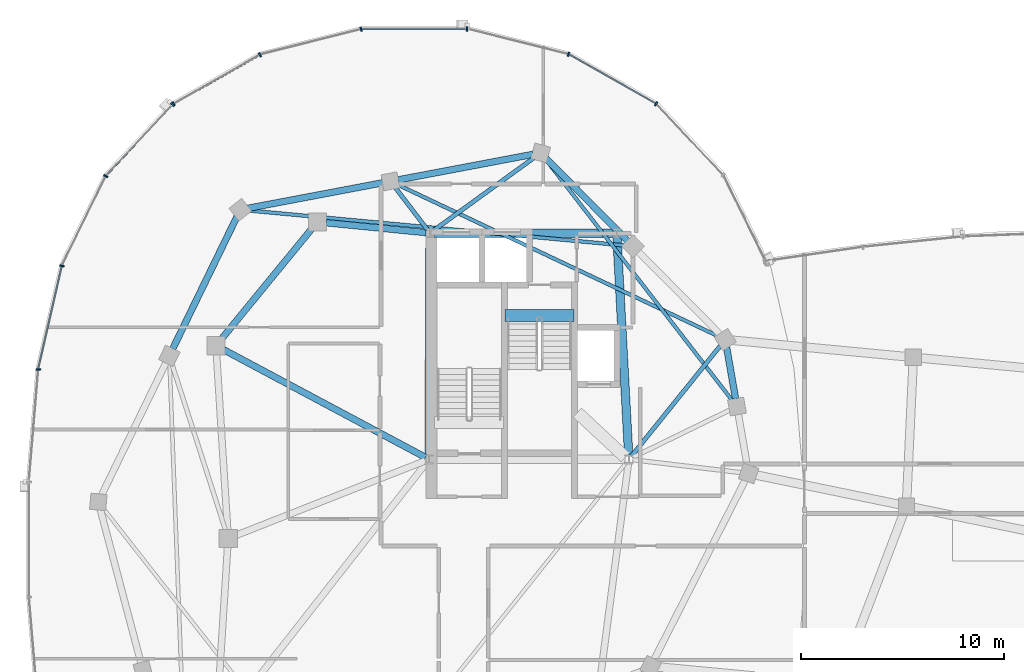
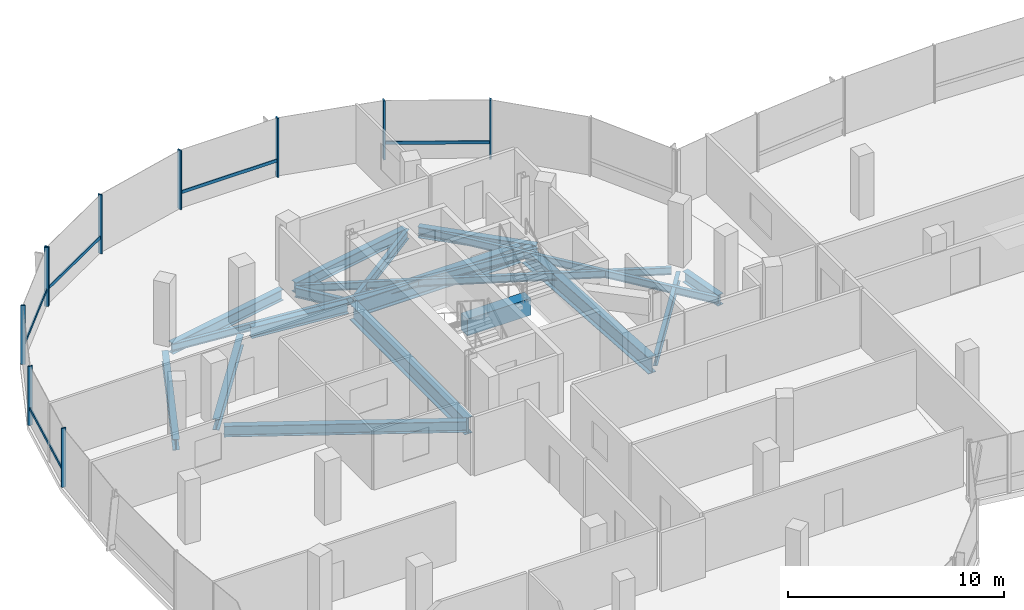
# One storey, part 6 of 26: 18 beams, 15 members, 2 elements without a shape of their own.
"""IFC4 building model written with IfcOpenShell, lengths in metres."""

from ifc_helpers import new_model, si_unit, direction, frame, origin, origin_2d, place, context, subcontext, project, spatial, rectangle, i_section, extrude, material, material_profile, profile_set, type_object, element, aggregate, save


model = new_model("IFC4")

# Units and contexts
model_context = context("Model", 3, precision=1e-05, world=origin(), true_north=direction((0.0, 1.0)))
body_context = subcontext(model_context, "Body", "Model", "MODEL_VIEW")
ifc_project = project(units=[si_unit("LENGTHUNIT", "METRE"), si_unit("AREAUNIT", "SQUARE_METRE"), si_unit("VOLUMEUNIT", "CUBIC_METRE"), si_unit("PLANEANGLEUNIT", "RADIAN"), si_unit("MASSUNIT", "GRAM", prefix="KILO"), si_unit("THERMODYNAMICTEMPERATUREUNIT", "KELVIN"), si_unit("POWERUNIT", "WATT")], contexts=[model_context])

# Site, building, storey
site_placement = place(None, origin())
site = spatial("IfcSite", under=ifc_project, at=site_placement, CompositionType="ELEMENT")
building_placement = place(site_placement, origin())
building = spatial("IfcBuilding", under=site, at=building_placement, Name="Cundina Bronze Exchange", CompositionType="ELEMENT")
storey_placement = place(building_placement, frame((0.0, 0.0, 243.199951171875)))
storey = spatial("IfcBuildingStorey", under=building, at=storey_placement, Name="L64", CompositionType="ELEMENT", Elevation=243.199951171875)

# Beams
ifc_material_1 = material(Name="Concrete C60/75", Category="concrete")
ifc_material_profile_1 = material_profile(ifc_material_1, rectangle(XDim=0.60009765625, YDim=0.949951171875, at=origin_2d()), Name="RC600X950", Category="concrete")
ifc_profile_set_1 = profile_set([ifc_material_profile_1], Name="Concrete C60/75")
beam_type_1 = type_object("IfcBeamType", Name="BM-COUP-RC950", PredefinedType="LINTEL", material=ifc_profile_set_1)
beam_1_placement = place(storey_placement, frame((-27.56005859375, 10.97998046875, -0.474853515625), z_axis=(1.0, 0.0, 0.0), x_axis=(0.0, 1.0, 0.0)))
element("IfcBeam", 1, at=beam_1_placement, inside=storey, type_object=beam_type_1, Name="L64 Stair W2 Landing Header Beam", PredefinedType="LINTEL", context=body_context, shape_type="SweptSolid", body=[
    extrude(rectangle(XDim=0.60009765625, YDim=0.949951171875, at=origin_2d()), origin(), (0.0, 0.0, 1.0), 3.400146484375),
])
ifc_material_2 = material(Name="Steel ASTM A992 Grade 50", Category="steel")
ifc_material_profile_2 = material_profile(ifc_material_2, i_section(OverallWidth=0.2119140625, OverallDepth=0.5439453125, WebThickness=0.01318359375, FlangeThickness=0.021240234375, FilletRadius=0.013916015625, at=origin_2d()), Name="W21X83", Category="steel")
ifc_profile_set_2 = profile_set([ifc_material_profile_2], Name="Steel ASTM A992 Grade 50")
beam_type_2 = type_object("IfcBeamType", Name="BM-FLR-W21A", PredefinedType="BEAM", material=ifc_profile_set_2)
beam_2_placement = place(storey_placement, frame((-21.3271484375, 4.052734375, -0.531982421875), z_axis=(0.627111236784, 0.778929712297, 0.0), x_axis=(-0.778929712297, 0.627111236784, 0.0)))
element("IfcBeam", 2, at=beam_2_placement, inside=storey, type_object=beam_type_2, Name="L64 Leg W Radial Floor Beam 02", PredefinedType="BEAM", context=body_context, shape_type="SweptSolid", body=[
    extrude(i_section(OverallWidth=0.2119140625, OverallDepth=0.5439453125, WebThickness=0.01318359375, FlangeThickness=0.021240234375, FilletRadius=0.013916015625, at=origin_2d()), origin(), (0.0, 0.0, 1.0), 6.990478515625),
])
beam_3_placement = place(storey_placement, frame((-31.09130859375, 15.1650390625, -0.531982421875), z_axis=(0.809701976545, 0.586841298119, 0.0), x_axis=(-0.586841298119, 0.809701976545, 0.0)))
element("IfcBeam", 3, at=beam_3_placement, inside=storey, type_object=beam_type_2, Name="L64 Leg W Radial Floor Beam 04", PredefinedType="BEAM", context=body_context, shape_type="SweptSolid", body=[
    extrude(i_section(OverallWidth=0.2119140625, OverallDepth=0.5439453125, WebThickness=0.01318359375, FlangeThickness=0.021240234375, FilletRadius=0.013916015625, at=origin_2d()), origin(), (0.0, 0.0, 1.0), 6.146728515625),
])
beam_4_placement = place(storey_placement, frame((-31.369140625, 15.205810546875, -0.531982421875), z_axis=(-0.607470812638, 0.794341999263, 0.0), x_axis=(-0.794341999263, -0.607470812638, 0.0)))
element("IfcBeam", 4, at=beam_4_placement, inside=storey, type_object=beam_type_2, Name="L64 Leg W Radial Floor Beam 05", PredefinedType="BEAM", context=body_context, shape_type="SweptSolid", body=[
    extrude(i_section(OverallWidth=0.2119140625, OverallDepth=0.5439453125, WebThickness=0.01318359375, FlangeThickness=0.021240234375, FilletRadius=0.013916015625, at=origin_2d()), origin(), (0.0, 0.0, 1.0), 2.6259765625),
])
ifc_material_profile_3 = material_profile(ifc_material_2, i_section(OverallWidth=0.178955078125, OverallDepth=0.409912109375, WebThickness=0.0087890625, FlangeThickness=0.014404296875, FilletRadius=0.010986328125, at=origin_2d()), Name="W16X45", Category="steel")
ifc_profile_set_3 = profile_set([ifc_material_profile_3], Name="Steel ASTM A992 Grade 50")
beam_type_3 = type_object("IfcBeamType", Name="BM-JST-W16", PredefinedType="JOIST", material=ifc_profile_set_3)
beam_5_placement = place(storey_placement, frame((-16.362548828125, 6.806884765625, -0.46484375), z_axis=(-0.612077855816, 0.790797507849, 0.0), x_axis=(-0.790797507849, -0.612077855816, 0.0)))
element("IfcBeam", 5, at=beam_5_placement, inside=storey, type_object=beam_type_3, Name="L64 Leg W Lobe Floor Joist 01-04", PredefinedType="JOIST", context=body_context, shape_type="SweptSolid", body=[
    extrude(i_section(OverallWidth=0.178955078125, OverallDepth=0.409912109375, WebThickness=0.0087890625, FlangeThickness=0.014404296875, FilletRadius=0.010986328125, at=origin_2d()), origin(), (0.0, 0.0, 1.0), 15.03076171875),
])
beam_6_placement = place(storey_placement, frame((-17.05078125, 9.9658203125, -0.46484375), z_axis=(-0.904073247994, 0.427377540661, 0.0), x_axis=(-0.427377540661, -0.904073247994, 0.0)))
element("IfcBeam", 6, at=beam_6_placement, inside=storey, type_object=beam_type_3, Name="L64 Leg W Lobe Floor Joist 02-05", PredefinedType="JOIST", context=body_context, shape_type="SweptSolid", body=[
    extrude(i_section(OverallWidth=0.178955078125, OverallDepth=0.409912109375, WebThickness=0.0087890625, FlangeThickness=0.014404296875, FilletRadius=0.010986328125, at=origin_2d()), origin(), (0.0, 0.0, 1.0), 17.474609375),
])
beam_7_placement = place(storey_placement, frame((-21.63623046875, 14.435791015625, -0.46484375), z_axis=(-0.995700514338, 0.092630911398, 0.0), x_axis=(-0.092630911398, -0.995700514338, 0.0)))
element("IfcBeam", 7, at=beam_7_placement, inside=storey, type_object=beam_type_3, Name="L64 Leg W Lobe Floor Joist 03-06", PredefinedType="JOIST", context=body_context, shape_type="SweptSolid", body=[
    extrude(i_section(OverallWidth=0.178955078125, OverallDepth=0.409912109375, WebThickness=0.0087890625, FlangeThickness=0.014404296875, FilletRadius=0.010986328125, at=origin_2d()), origin(), (0.0, 0.0, 1.0), 18.65771484375),
])
ifc_material_profile_4 = material_profile(ifc_material_2, i_section(OverallWidth=0.324951171875, OverallDepth=0.615966796875, WebThickness=0.013916015625, FlangeThickness=0.021484375, FilletRadius=0.01611328125, at=origin_2d()), Name="W24X117", Category="steel")
ifc_profile_set_4 = profile_set([ifc_material_profile_4], Name="Steel ASTM A992 Grade 50")
beam_type_4 = type_object("IfcBeamType", Name="BM-RING-W24", PredefinedType="USERDEFINED", material=ifc_profile_set_4)
beam_8_placement = place(storey_placement, frame((-31.445068359375, 15.0693359375, -0.56787109375), z_axis=(-0.995123854478, 0.09863323096, 0.0), x_axis=(-0.09863323096, -0.995123854478, 0.0)))
element("IfcBeam", 8, at=beam_8_placement, inside=storey, type_object=beam_type_4, Name="L64 W Inner Structural Ring Girder 01", ObjectType="GIRDER", PredefinedType="USERDEFINED", context=body_context, shape_type="SweptSolid", body=[
    extrude(i_section(OverallWidth=0.324951171875, OverallDepth=0.615966796875, WebThickness=0.013916015625, FlangeThickness=0.021484375, FilletRadius=0.01611328125, at=origin_2d()), origin(), (0.0, 0.0, 1.0), 4.943115234375),
])
beam_9_placement = place(storey_placement, frame((-37.07763671875, 15.26123046875, -0.56787109375), z_axis=(-0.633912590175, -0.77340469873, 0.0), x_axis=(0.77340469873, -0.633912590175, 0.0)))
element("IfcBeam", 9, at=beam_9_placement, inside=storey, type_object=beam_type_4, Name="L64 W Inner Structural Ring Girder 02", ObjectType="GIRDER", PredefinedType="USERDEFINED", context=body_context, shape_type="SweptSolid", body=[
    extrude(i_section(OverallWidth=0.324951171875, OverallDepth=0.615966796875, WebThickness=0.013916015625, FlangeThickness=0.021484375, FilletRadius=0.01611328125, at=origin_2d()), origin(), (0.0, 0.0, 1.0), 7.01123046875),
])
beam_10_placement = place(storey_placement, frame((-31.472900390625, 3.9921875, -0.56787109375), z_axis=(-0.882350541683, 0.470592734317, 0.0), x_axis=(-0.470592734317, -0.882350541683, 0.0)))
element("IfcBeam", 10, at=beam_10_placement, inside=storey, type_object=beam_type_4, Name="L64 W Core-to-Waist Tie Beam 2", ObjectType="GIRDER", PredefinedType="USERDEFINED", context=body_context, shape_type="SweptSolid", body=[
    extrude(i_section(OverallWidth=0.324951171875, OverallDepth=0.615966796875, WebThickness=0.013916015625, FlangeThickness=0.021484375, FilletRadius=0.01611328125, at=origin_2d()), origin(), (0.0, 0.0, 1.0), 11.26611328125),
])
beam_11_placement = place(storey_placement, frame((-16.191650390625, 6.882080078125, -0.56787109375), z_axis=(-0.171593362587, 0.985167862811, 0.0), x_axis=(-0.985167862811, -0.171593362587, 0.0)))
element("IfcBeam", 11, at=beam_11_placement, inside=storey, type_object=beam_type_4, Name="L64 W Perimeter Ring Girder 01", ObjectType="GIRDER", PredefinedType="USERDEFINED", context=body_context, shape_type="SweptSolid", body=[
    extrude(i_section(OverallWidth=0.324951171875, OverallDepth=0.615966796875, WebThickness=0.013916015625, FlangeThickness=0.021484375, FilletRadius=0.01611328125, at=origin_2d()), origin(), (0.0, 0.0, 1.0), 2.57373046875),
])
beam_12_placement = place(storey_placement, frame((-21.52294921875, 14.67578125, -0.56787109375), z_axis=(-0.703215820204, 0.710976448425, 0.0), x_axis=(-0.710976448425, -0.703215820204, 0.0)))
element("IfcBeam", 12, at=beam_12_placement, inside=storey, type_object=beam_type_4, Name="L64 W Perimeter Ring Girder 03", ObjectType="GIRDER", PredefinedType="USERDEFINED", context=body_context, shape_type="SweptSolid", body=[
    extrude(i_section(OverallWidth=0.324951171875, OverallDepth=0.615966796875, WebThickness=0.013916015625, FlangeThickness=0.021484375, FilletRadius=0.01611328125, at=origin_2d()), origin(), (0.0, 0.0, 1.0), 5.694091796875),
])
beam_13_placement = place(storey_placement, frame((-26.18115234375, 18.927978515625, -0.56787109375), z_axis=(-0.982568104771, -0.185902984072, 0.0), x_axis=(0.185902984072, -0.982568104771, 0.0)))
element("IfcBeam", 13, at=beam_13_placement, inside=storey, type_object=beam_type_4, Name="L64 W Perimeter Ring Girder 04", ObjectType="GIRDER", PredefinedType="USERDEFINED", context=body_context, shape_type="SweptSolid", body=[
    extrude(i_section(OverallWidth=0.324951171875, OverallDepth=0.615966796875, WebThickness=0.013916015625, FlangeThickness=0.021484375, FilletRadius=0.01611328125, at=origin_2d()), origin(), (0.0, 0.0, 1.0), 6.75537109375),
])
beam_14_placement = place(storey_placement, frame((-33.581298828125, 17.52783203125, -0.56787109375), z_axis=(-0.982573456977, -0.185874693392, 0.0), x_axis=(0.185874693392, -0.982573456977, 0.0)))
element("IfcBeam", 14, at=beam_14_placement, inside=storey, type_object=beam_type_4, Name="L64 W Perimeter Ring Girder 05", ObjectType="GIRDER", PredefinedType="USERDEFINED", context=body_context, shape_type="SweptSolid", body=[
    extrude(i_section(OverallWidth=0.324951171875, OverallDepth=0.615966796875, WebThickness=0.013916015625, FlangeThickness=0.021484375, FilletRadius=0.01611328125, at=origin_2d()), origin(), (0.0, 0.0, 1.0), 6.755126953125),
])
beam_15_placement = place(storey_placement, frame((-40.76953125, 15.85107421875, -0.56787109375), z_axis=(-0.437216986791, -0.899356050995, 0.0), x_axis=(0.899356050995, -0.437216986791, 0.0)))
element("IfcBeam", 15, at=beam_15_placement, inside=storey, type_object=beam_type_4, Name="L64 W Perimeter Ring Girder 06", ObjectType="GIRDER", PredefinedType="USERDEFINED", context=body_context, shape_type="SweptSolid", body=[
    extrude(i_section(OverallWidth=0.324951171875, OverallDepth=0.615966796875, WebThickness=0.013916015625, FlangeThickness=0.021484375, FilletRadius=0.01611328125, at=origin_2d()), origin(), (0.0, 0.0, 1.0), 7.2294921875),
])
ifc_material_profile_5 = material_profile(ifc_material_2, i_section(OverallWidth=0.41796875, OverallDepth=0.927001953125, WebThickness=0.019287109375, FlangeThickness=0.031982421875, FilletRadius=0.02392578125, at=origin_2d()), Name="W36X231", Category="steel")
ifc_profile_set_5 = profile_set([ifc_material_profile_5], Name="Steel ASTM A992 Grade 50")
beam_type_5 = type_object("IfcBeamType", Name="BM-WRN-W36B", PredefinedType="USERDEFINED", material=ifc_profile_set_5)
beam_16_placement = place(storey_placement, frame((-21.46044921875, 4.095703125, -0.723388671875), z_axis=(-0.053749317644, 0.998554460634, 0.0), x_axis=(-0.998554460634, -0.053749317644, 0.0)))
element("IfcBeam", 16, at=beam_16_placement, inside=storey, type_object=beam_type_5, Name="L64 W Core Perimeter Tie Girder 2", ObjectType="GIRDER", PredefinedType="USERDEFINED", context=body_context, shape_type="SweptSolid", body=[
    extrude(i_section(OverallWidth=0.41796875, OverallDepth=0.927001953125, WebThickness=0.019287109375, FlangeThickness=0.031982421875, FilletRadius=0.02392578125, at=origin_2d()), origin(), (0.0, 0.0, 1.0), 10.774169921875),
])
beam_17_placement = place(storey_placement, frame((-22.24609375, 15.050048828125, -0.723388671875), z_axis=(-1.0, 0.0, 0.0), x_axis=(0.0, -1.0, 0.0)))
element("IfcBeam", 17, at=beam_17_placement, inside=storey, type_object=beam_type_5, Name="L64 W Core Perimeter Tie Girder 3", ObjectType="GIRDER", PredefinedType="USERDEFINED", context=body_context, shape_type="SweptSolid", body=[
    extrude(i_section(OverallWidth=0.41796875, OverallDepth=0.927001953125, WebThickness=0.019287109375, FlangeThickness=0.031982421875, FilletRadius=0.02392578125, at=origin_2d()), origin(), (0.0, 0.0, 1.0), 8.807861328125),
])
beam_18_placement = place(storey_placement, frame((-31.2509765625, 14.85400390625, -0.723388671875), z_axis=(-0.004470623654, -0.999990006712, 0.0), x_axis=(0.999990006712, -0.004470623654, 0.0)))
element("IfcBeam", 18, at=beam_18_placement, inside=storey, type_object=beam_type_5, Name="L64 W Core Perimeter Tie Girder 4", ObjectType="GIRDER", PredefinedType="USERDEFINED", context=body_context, shape_type="SweptSolid", body=[
    extrude(i_section(OverallWidth=0.41796875, OverallDepth=0.927001953125, WebThickness=0.019287109375, FlangeThickness=0.031982421875, FilletRadius=0.02392578125, at=origin_2d()), origin(), (0.0, 0.0, 1.0), 10.758056640625),
])

# Curtain wall, members
ifc_material_3 = material(Name="Anodised Bronze Aluminium 6063-T6", Category="aluminium")
curtain_wall_type = type_object("IfcCurtainWallType", Name="CWS-SKG-BRG", PredefinedType="NOTDEFINED", material=ifc_material_3)
curtain_wall_1_placement = place(storey_placement, origin())
curtain_wall_1 = element("IfcCurtainWall", 19, at=curtain_wall_1_placement, inside=storey, type_object=curtain_wall_type, Name="L64 CW-06 Curtain Wall Run CWR-L64-W1", PredefinedType="NOTDEFINED")
ifc_material_profile_6 = material_profile(ifc_material_3, rectangle(XDim=0.074951171875, YDim=0.219970703125, at=origin_2d()), Name="AL75X220", Category="aluminium")
ifc_profile_set_6 = profile_set([ifc_material_profile_6], Name="Anodised Bronze Aluminium 6063-T6")
member_type_1 = type_object("IfcMemberType", Name="CWM-MUL-220", PredefinedType="MULLION", material=ifc_profile_set_6)
member_1_placement = place(storey_placement, frame((-20.11083984375, 21.419921875, 0.0), z_axis=(0.0, 0.0, 1.0), x_axis=(-0.86958112538, 0.493790103568, 0.0)))
member_1 = element("IfcMember", 20, at=member_1_placement, type_object=member_type_1, Name="CW-06 Mullion 3", PredefinedType="MULLION", context=body_context, shape_type="SweptSolid", body=[
    extrude(rectangle(XDim=0.074951171875, YDim=0.219970703125, at=origin_2d()), origin(), (0.0, 0.0, 1.0), 3.340087890625),
])
member_2_placement = place(storey_placement, frame((-24.4296875, 23.86181640625, 0.0), z_axis=(0.0, 0.0, 1.0), x_axis=(-0.969744325821, 0.244122802168, 0.0)))
member_2 = element("IfcMember", 21, at=member_2_placement, type_object=member_type_1, Name="CW-06 Mullion 4", PredefinedType="MULLION", context=body_context, shape_type="SweptSolid", body=[
    extrude(rectangle(XDim=0.074951171875, YDim=0.219970703125, at=origin_2d()), origin(), (0.0, 0.0, 1.0), 3.340087890625),
])
member_3_placement = place(storey_placement, frame((-29.423583984375, 25.110107421875, 0.0), z_axis=(0.0, 0.0, 1.0), x_axis=(-1.0, 0.0, 0.0)))
member_3 = element("IfcMember", 22, at=member_3_placement, type_object=member_type_1, Name="CW-06 Mullion 5", PredefinedType="MULLION", context=body_context, shape_type="SweptSolid", body=[
    extrude(rectangle(XDim=0.074951171875, YDim=0.219970703125, at=origin_2d()), origin(), (0.0, 0.0, 1.0), 3.340087890625),
])
member_4_placement = place(storey_placement, frame((-34.648193359375, 25.10107421875, 0.0), z_axis=(0.0, 0.0, 1.0), x_axis=(-0.969744325821, -0.244122802168, 0.0)))
member_4 = element("IfcMember", 23, at=member_4_placement, type_object=member_type_1, Name="CW-06 Mullion 6", PredefinedType="MULLION", context=body_context, shape_type="SweptSolid", body=[
    extrude(rectangle(XDim=0.074951171875, YDim=0.219970703125, at=origin_2d()), origin(), (0.0, 0.0, 1.0), 3.340087890625),
])
member_5_placement = place(storey_placement, frame((-39.634521484375, 23.8359375, 0.0), z_axis=(0.0, 0.0, 1.0), x_axis=(-0.86958112538, -0.493790103568, 0.0)))
member_5 = element("IfcMember", 24, at=member_5_placement, type_object=member_type_1, Name="CW-06 Mullion 7", PredefinedType="MULLION", context=body_context, shape_type="SweptSolid", body=[
    extrude(rectangle(XDim=0.074951171875, YDim=0.219970703125, at=origin_2d()), origin(), (0.0, 0.0, 1.0), 3.340087890625),
])
member_6_placement = place(storey_placement, frame((-43.88916015625, 21.419921875, 0.0), z_axis=(0.0, 0.0, 1.0), x_axis=(-0.86958112538, -0.493790103568, 0.0)))
member_6 = element("IfcMember", 25, at=member_6_placement, type_object=member_type_1, Name="CW-06 End Mullion", PredefinedType="MULLION", context=body_context, shape_type="SweptSolid", body=[
    extrude(rectangle(XDim=0.074951171875, YDim=0.219970703125, at=origin_2d()), origin(), (0.0, 0.0, 1.0), 3.340087890625),
])

curtain_wall_2_placement = place(storey_placement, origin())
curtain_wall_2 = element("IfcCurtainWall", 26, at=curtain_wall_2_placement, inside=storey, type_object=curtain_wall_type, Name="L64 CW-06 Curtain Wall Run CWR-L64-W2", PredefinedType="NOTDEFINED")
member_7_placement = place(storey_placement, frame((-43.940185546875, 21.3798828125, 0.0), z_axis=(0.0, 0.0, 1.0), x_axis=(-0.684292606175, -0.729207535023, 0.0)))
member_7 = element("IfcMember", 27, at=member_7_placement, type_object=member_type_1, Name="CW-06 Mullion 1", PredefinedType="MULLION", context=body_context, shape_type="SweptSolid", body=[
    extrude(rectangle(XDim=0.074951171875, YDim=0.219970703125, at=origin_2d()), origin(), (0.0, 0.0, 1.0), 3.340087890625),
])
member_8_placement = place(storey_placement, frame((-47.2333984375, 17.856689453125, 0.0), z_axis=(0.0, 0.0, 1.0), x_axis=(-0.440566004113, -0.897720221461, 0.0)))
member_8 = element("IfcMember", 28, at=member_8_placement, type_object=member_type_1, Name="CW-06 Mullion 2", PredefinedType="MULLION", context=body_context, shape_type="SweptSolid", body=[
    extrude(rectangle(XDim=0.074951171875, YDim=0.219970703125, at=origin_2d()), origin(), (0.0, 0.0, 1.0), 3.340087890625),
])
member_9_placement = place(storey_placement, frame((-49.39404296875, 13.433837890625, 0.0), z_axis=(0.0, 0.0, 1.0), x_axis=(-0.223250116011, -0.974761194191, 0.0)))
member_9 = element("IfcMember", 29, at=member_9_placement, type_object=member_type_1, Name="CW-06 Mullion 3", PredefinedType="MULLION", context=body_context, shape_type="SweptSolid", body=[
    extrude(rectangle(XDim=0.074951171875, YDim=0.219970703125, at=origin_2d()), origin(), (0.0, 0.0, 1.0), 3.340087890625),
])
member_10_placement = place(storey_placement, frame((-50.557861328125, 8.32568359375, 0.0), z_axis=(0.0, 0.0, 1.0), x_axis=(-0.083677843332, -0.99649285925, 0.0)))
member_10 = element("IfcMember", 30, at=member_10_placement, type_object=member_type_1, Name="CW-06 Mullion 4", PredefinedType="MULLION", context=body_context, shape_type="SweptSolid", body=[
    extrude(rectangle(XDim=0.074951171875, YDim=0.219970703125, at=origin_2d()), origin(), (0.0, 0.0, 1.0), 3.340087890625),
])

# Member
ifc_material_profile_7 = material_profile(ifc_material_3, rectangle(XDim=0.070068359375, YDim=0.179931640625, at=origin_2d()), Name="AL70X180", Category="aluminium")
ifc_profile_set_7 = profile_set([ifc_material_profile_7], Name="Anodised Bronze Aluminium 6063-T6")
member_type_2 = type_object("IfcMemberType", Name="CWM-TRN-180", PredefinedType="USERDEFINED", material=ifc_profile_set_7)
member_11_placement = place(storey_placement, frame((-20.146728515625, 21.440185546875, 0.920166015625), z_axis=(-0.869557366176, 0.493831941989, 0.0), x_axis=(-0.493831941989, -0.869557366176, 0.0)))
member_11 = element("IfcMember", 31, at=member_11_placement, type_object=member_type_2, Name="CW-06 Spandrel Transom 3", ObjectType="TRANSOM", PredefinedType="USERDEFINED", context=body_context, shape_type="SweptSolid", body=[
    extrude(rectangle(XDim=0.070068359375, YDim=0.179931640625, at=origin_2d()), origin(), (0.0, 0.0, 1.0), 4.892822265625),
])

member_12_placement = place(storey_placement, frame((-29.464599609375, 25.110107421875, 0.920166015625), z_axis=(-1.0, 0.0, 0.0), x_axis=(0.0, -1.0, 0.0)))
member_12 = element("IfcMember", 32, at=member_12_placement, type_object=member_type_2, Name="CW-06 Spandrel Transom 5", ObjectType="TRANSOM", PredefinedType="USERDEFINED", context=body_context, shape_type="SweptSolid", body=[
    extrude(rectangle(XDim=0.070068359375, YDim=0.179931640625, at=origin_2d()), origin(), (0.0, 0.0, 1.0), 5.1533203125),
])

member_13_placement = place(storey_placement, frame((-39.67041015625, 23.815673828125, 0.920166015625), z_axis=(-0.869558105282, -0.493830640542, 0.0), x_axis=(0.493830640542, -0.869558105282, 0.0)))
member_13 = element("IfcMember", 33, at=member_13_placement, type_object=member_type_2, Name="CW-06 Spandrel Transom 7", ObjectType="TRANSOM", PredefinedType="USERDEFINED", context=body_context, shape_type="SweptSolid", body=[
    extrude(rectangle(XDim=0.070068359375, YDim=0.179931640625, at=origin_2d()), origin(), (0.0, 0.0, 1.0), 4.810302734375),
])

aggregate(curtain_wall_1, [member_1, member_11, member_2, member_3, member_12, member_4, member_5, member_6, member_13])

member_14_placement = place(storey_placement, frame((-43.968505859375, 21.349609375, 0.920166015625), z_axis=(-0.684328474899, -0.729173873944, 0.0), x_axis=(0.729173873944, -0.684328474899, 0.0)))
member_14 = element("IfcMember", 34, at=member_14_placement, type_object=member_type_2, Name="CW-06 Spandrel Transom 1", ObjectType="TRANSOM", PredefinedType="USERDEFINED", context=body_context, shape_type="SweptSolid", body=[
    extrude(rectangle(XDim=0.070068359375, YDim=0.179931640625, at=origin_2d()), origin(), (0.0, 0.0, 1.0), 4.758056640625),
])

member_15_placement = place(storey_placement, frame((-49.4033203125, 13.3935546875, 0.920166015625), z_axis=(-0.223257048806, -0.974759606343, 0.0), x_axis=(0.974759606343, -0.223257048806, 0.0)))
member_15 = element("IfcMember", 35, at=member_15_placement, type_object=member_type_2, Name="CW-06 Spandrel Transom 3", ObjectType="TRANSOM", PredefinedType="USERDEFINED", context=body_context, shape_type="SweptSolid", body=[
    extrude(rectangle(XDim=0.070068359375, YDim=0.179931640625, at=origin_2d()), origin(), (0.0, 0.0, 1.0), 5.15283203125),
])

aggregate(curtain_wall_2, [member_7, member_14, member_8, member_9, member_15, member_10])

save(model, "model.ifc")
